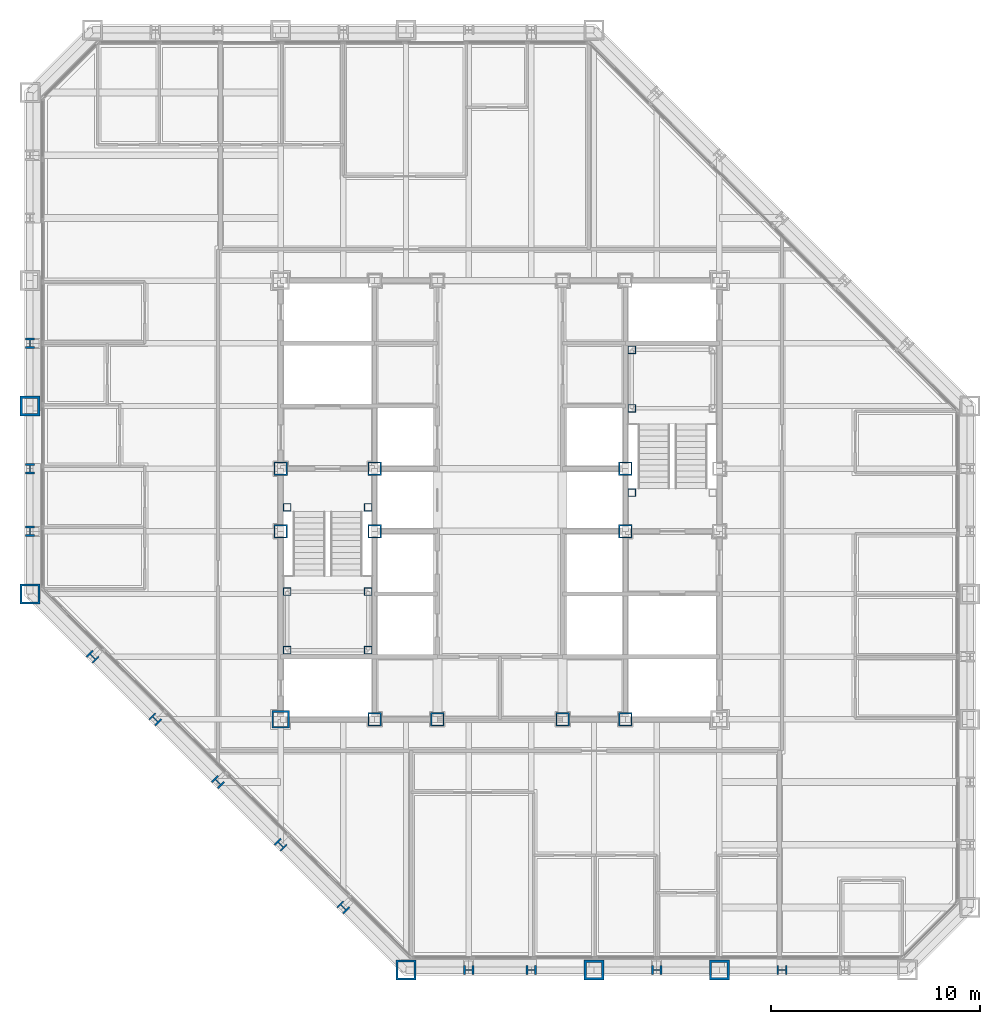
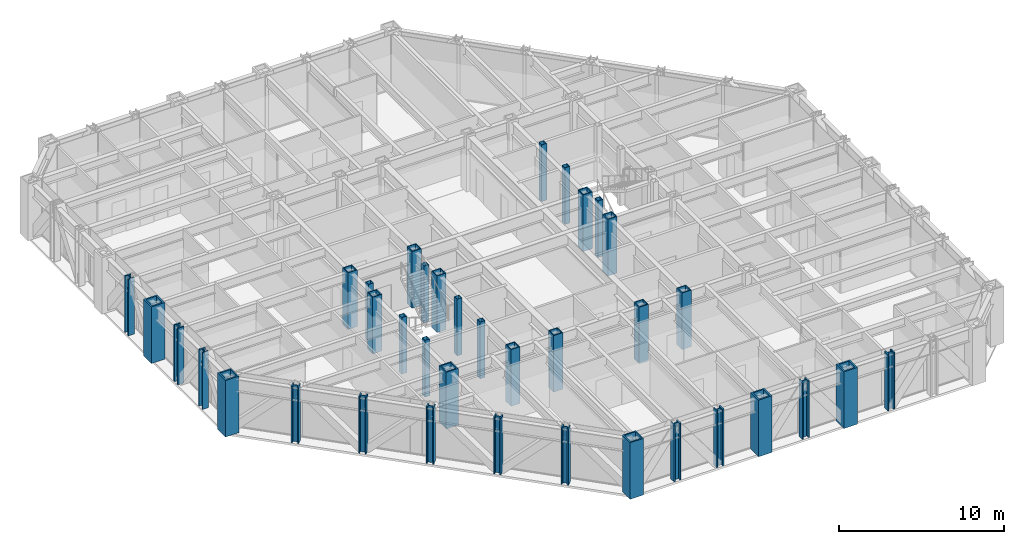
# One storey, part 1 of 16: 37 columns.
"""IFC4 building model written with IfcOpenShell, lengths in metres."""

from ifc_helpers import new_model, si_unit, direction, frame, origin, origin_2d, place, context, subcontext, project, spatial, hollow_rectangle, i_section, extrude, material, material_profile, profile_set, type_object, element, save


model = new_model("IFC4")

# Units and contexts
model_context = context("Model", 3, precision=1e-05, world=origin(), true_north=direction((0.0, 1.0)))
body_context = subcontext(model_context, "Body", "Model", "MODEL_VIEW")
ifc_project = project(units=[si_unit("LENGTHUNIT", "METRE"), si_unit("AREAUNIT", "SQUARE_METRE"), si_unit("VOLUMEUNIT", "CUBIC_METRE"), si_unit("PLANEANGLEUNIT", "RADIAN"), si_unit("MASSUNIT", "GRAM", prefix="KILO")], contexts=[model_context])

# Site, building, storey
site_placement = place(None, origin())
site = spatial("IfcSite", under=ifc_project, at=site_placement, CompositionType="ELEMENT")
building_placement = place(site_placement, origin())
building = spatial("IfcBuilding", under=site, at=building_placement, Name="Chuquiago Exchange Tower", CompositionType="ELEMENT")
storey_placement = place(building_placement, frame((0.0, 0.0, 144.60009765625)))
storey = spatial("IfcBuildingStorey", under=building, at=storey_placement, Name="L31", CompositionType="ELEMENT", Elevation=144.60009765625)

# Columns
ifc_material_1 = material(Name="Steel ASTM A992", Category="steel")
ifc_material_profile_1 = material_profile(ifc_material_1, i_section(OverallWidth=0.431884765625, OverallDepth=0.497802734375, WebThickness=0.0556640625, FlangeThickness=0.0888671875, at=origin_2d()), Name="W14X500")
ifc_profile_set_1 = profile_set([ifc_material_profile_1], Name="Steel ASTM A992")
column_type_1 = type_object("IfcColumnType", Name="C7 W14X500", PredefinedType="COLUMN", material=ifc_profile_set_1)
for number, where, z_axis, x_axis, name in (
    (1, (21.0, 0.0, 0.0), (0.0, 0.0, 1.0), (0.0, -1.0, 0.0), "COL-L31-21_0"),
    (2, (24.0, 0.0, 0.0), (0.0, 0.0, 1.0), (0.0, -1.0, 0.0), "COL-L31-24_0"),
    (3, (30.0, 0.0, 0.0), (0.0, 0.0, 1.0), (0.0, -1.0, 0.0), "COL-L31-30_0"),
    (4, (36.0, 0.0, 0.0), (0.0, 0.0, 1.0), (0.0, -1.0, 0.0), "COL-L31-36_0"),
    (5, (0.0, 30.0, 0.0), (0.0, 0.0, 1.0), (-1.0, 0.0, 0.0), "COL-L31-0_30"),
    (6, (0.0, 24.0, 0.0), (0.0, 0.0, 1.0), (-1.0, 0.0, 0.0), "COL-L31-0_24"),
    (7, (0.0, 21.0, 0.0), (0.0, 0.0, 1.0), (-1.0, 0.0, 0.0), "COL-L31-0_21"),
):
    element("IfcColumn", number, at=place(storey_placement, frame(where, z_axis=z_axis, x_axis=x_axis)), inside=storey, type_object=column_type_1, Name=name, PredefinedType="COLUMN", context=body_context, shape_type="SweptSolid", body=[
        extrude(i_section(OverallWidth=0.431884765625, OverallDepth=0.497802734375, WebThickness=0.0556640625, FlangeThickness=0.0888671875, at=origin_2d()), origin(), (0.0, 0.0, 1.0), 4.199951171875),
    ])
ifc_material_2 = material(Name="Steel ASTM A572 Grade 50", Category="steel")
ifc_material_profile_2 = material_profile(ifc_material_2, hollow_rectangle(XDim=0.85009765625, YDim=0.85009765625, WallThickness=0.0849609375, at=origin_2d()), Name="BOX850X850X85")
ifc_profile_set_2 = profile_set([ifc_material_profile_2], Name="Steel ASTM A572 Grade 50")
column_type_2 = type_object("IfcColumnType", Name="CC6 BOX850X850X85", PredefinedType="COLUMN", material=ifc_profile_set_2)
column_placement = place(storey_placement, frame((12.0, 12.0, 0.0), z_axis=(0.0, 0.0, 1.0), x_axis=(1.0, 0.0, 0.0)))
element("IfcColumn", 8, at=column_placement, inside=storey, type_object=column_type_2, Name="CCOL-L31-12_12", PredefinedType="COLUMN", context=body_context, shape_type="SweptSolid", body=[
    extrude(hollow_rectangle(XDim=0.85009765625, YDim=0.85009765625, WallThickness=0.0849609375, at=origin_2d()), origin(), (0.0, 0.0, 1.0), 4.199951171875),
])
ifc_material_3 = material(Name="Steel ASTM A572 Grade 50", Category="steel")
ifc_material_profile_3 = material_profile(ifc_material_3, hollow_rectangle(XDim=0.64990234375, YDim=0.64990234375, WallThickness=0.06494140625, at=origin_2d()), Name="BOX650X650X65")
ifc_profile_set_3 = profile_set([ifc_material_profile_3], Name="Steel ASTM A572 Grade 50")
column_type_3 = type_object("IfcColumnType", Name="CC7 BOX650X650X65", PredefinedType="COLUMN", material=ifc_profile_set_3)
for number, where, z_axis, x_axis, name in (
    (9, (16.5, 12.0, 0.0), (0.0, 0.0, 1.0), (1.0, 0.0, 0.0), "CCOL-L31-16.5_12"),
    (10, (19.5, 12.0, 0.0), (0.0, 0.0, 1.0), (1.0, 0.0, 0.0), "CCOL-L31-19.5_12"),
    (11, (25.5, 12.0, 0.0), (0.0, 0.0, 1.0), (1.0, 0.0, 0.0), "CCOL-L31-25.5_12"),
    (12, (28.5, 12.0, 0.0), (0.0, 0.0, 1.0), (1.0, 0.0, 0.0), "CCOL-L31-28.5_12"),
    (13, (12.0, 21.0, 0.0), (0.0, 0.0, 1.0), (1.0, 0.0, 0.0), "CCOL-L31-12_21"),
    (14, (12.0, 24.0, 0.0), (0.0, 0.0, 1.0), (1.0, 0.0, 0.0), "CCOL-L31-12_24"),
    (15, (16.5, 21.0, 0.0), (0.0, 0.0, 1.0), (1.0, 0.0, 0.0), "CCOL-L31-16.5_21"),
    (16, (16.5, 24.0, 0.0), (0.0, 0.0, 1.0), (1.0, 0.0, 0.0), "CCOL-L31-16.5_24"),
    (17, (28.5, 21.0, 0.0), (0.0, 0.0, 1.0), (1.0, 0.0, 0.0), "CCOL-L31-28.5_21"),
    (18, (28.5, 24.0, 0.0), (0.0, 0.0, 1.0), (1.0, 0.0, 0.0), "CCOL-L31-28.5_24"),
):
    element("IfcColumn", number, at=place(storey_placement, frame(where, z_axis=z_axis, x_axis=x_axis)), inside=storey, type_object=column_type_3, Name=name, PredefinedType="COLUMN", context=body_context, shape_type="SweptSolid", body=[
        extrude(hollow_rectangle(XDim=0.64990234375, YDim=0.64990234375, WallThickness=0.06494140625, at=origin_2d()), origin(), (0.0, 0.0, 1.0), 4.199951171875),
    ])
ifc_material_4 = material(Name="Steel ASTM A992", Category="steel")
ifc_material_profile_4 = material_profile(ifc_material_4, i_section(OverallWidth=0.4267578125, OverallDepth=0.482666015625, WebThickness=0.05126953125, FlangeThickness=0.08154296875, at=origin_2d()), Name="W14X455")
ifc_profile_set_4 = profile_set([ifc_material_profile_4], Name="Steel ASTM A992")
column_type_4 = type_object("IfcColumnType", Name="CK6 W14X455", PredefinedType="COLUMN", material=ifc_profile_set_4)
for number, where, z_axis, x_axis, name in (
    (19, (3.0, 15.0, 0.0), (0.0, 0.0, 1.0), (-0.707106781187, -0.707106781187, 0.0), "COL-L31-3_15"),
    (20, (6.0, 12.0, 0.0), (0.0, 0.0, 1.0), (-0.707106781187, -0.707106781187, 0.0), "COL-L31-6_12"),
    (21, (9.0, 9.0, 0.0), (0.0, 0.0, 1.0), (-0.707106781187, -0.707106781187, 0.0), "COL-L31-9_9"),
    (22, (12.0, 6.0, 0.0), (0.0, 0.0, 1.0), (-0.707106781187, -0.707106781187, 0.0), "COL-L31-12_6"),
    (23, (15.0, 3.0, 0.0), (0.0, 0.0, 1.0), (-0.707106781187, -0.707106781187, 0.0), "COL-L31-15_3"),
):
    element("IfcColumn", number, at=place(storey_placement, frame(where, z_axis=z_axis, x_axis=x_axis)), inside=storey, type_object=column_type_4, Name=name, PredefinedType="COLUMN", context=body_context, shape_type="SweptSolid", body=[
        extrude(i_section(OverallWidth=0.4267578125, OverallDepth=0.482666015625, WebThickness=0.05126953125, FlangeThickness=0.08154296875, at=origin_2d()), origin(), (0.0, 0.0, 1.0), 4.199951171875),
    ])
ifc_material_5 = material(Name="Steel ASTM A572 Grade 50", Category="steel")
ifc_material_profile_5 = material_profile(ifc_material_5, hollow_rectangle(XDim=0.949951171875, YDim=0.949951171875, WallThickness=0.094970703125, at=origin_2d()), Name="BOX950X950X95")
ifc_profile_set_5 = profile_set([ifc_material_profile_5], Name="Steel ASTM A572 Grade 50")
column_type_5 = type_object("IfcColumnType", Name="CN1 BOX950X950X95", PredefinedType="COLUMN", material=ifc_profile_set_5)
for number, where, z_axis, x_axis, name in (
    (24, (18.0, 0.0, 0.0), (0.0, 0.0, 1.0), (0.0, -1.0, 0.0), "COL-L31-18_0"),
    (25, (0.0, 18.0, 0.0), (0.0, 0.0, 1.0), (-1.0, 0.0, 0.0), "COL-L31-0_18"),
):
    element("IfcColumn", number, at=place(storey_placement, frame(where, z_axis=z_axis, x_axis=x_axis)), inside=storey, type_object=column_type_5, Name=name, PredefinedType="COLUMN", context=body_context, shape_type="SweptSolid", body=[
        extrude(hollow_rectangle(XDim=0.949951171875, YDim=0.949951171875, WallThickness=0.094970703125, at=origin_2d()), origin(), (0.0, 0.0, 1.0), 4.199951171875),
    ])
ifc_material_6 = material(Name="Steel ASTM A572 Grade 42", Category="steel")
ifc_material_profile_6 = material_profile(ifc_material_6, hollow_rectangle(XDim=0.949951171875, YDim=0.949951171875, WallThickness=0.110107421875, at=origin_2d()), Name="BOX950X950X110")
ifc_profile_set_6 = profile_set([ifc_material_profile_6], Name="Steel ASTM A572 Grade 42")
column_type_6 = type_object("IfcColumnType", Name="CT1 BOX950X950X110", PredefinedType="COLUMN", material=ifc_profile_set_6)
for number, where, z_axis, x_axis, name in (
    (26, (27.0, 0.0, 0.0), (0.0, 0.0, 1.0), (0.0, -1.0, 0.0), "COL-L31-27_0"),
    (27, (33.0, 0.0, 0.0), (0.0, 0.0, 1.0), (0.0, -1.0, 0.0), "COL-L31-33_0"),
    (28, (0.0, 27.0, 0.0), (0.0, 0.0, 1.0), (-1.0, 0.0, 0.0), "COL-L31-0_27"),
):
    element("IfcColumn", number, at=place(storey_placement, frame(where, z_axis=z_axis, x_axis=x_axis)), inside=storey, type_object=column_type_6, Name=name, PredefinedType="COLUMN", context=body_context, shape_type="SweptSolid", body=[
        extrude(hollow_rectangle(XDim=0.949951171875, YDim=0.949951171875, WallThickness=0.110107421875, at=origin_2d()), origin(), (0.0, 0.0, 1.0), 4.199951171875),
    ])
ifc_material_7 = material(Name="Steel ASTM A500 Grade C", Category="steel")
ifc_material_profile_7 = material_profile(ifc_material_7, hollow_rectangle(XDim=0.355712890625, YDim=0.355712890625, WallThickness=0.0146484375, at=origin_2d()), Name="HSS14X14X5/8")
ifc_profile_set_7 = profile_set([ifc_material_profile_7], Name="Steel ASTM A500 Grade C")
column_type_7 = type_object("IfcColumnType", Name="PT2 HSS14X14X5/8", PredefinedType="COLUMN", material=ifc_profile_set_7)
for number, where, z_axis, x_axis, name in (
    (29, (12.31005859375, 15.31005859375, 0.0), (0.0, 0.0, 1.0), (1.0, 0.0, 0.0), "Stair ST1 L31 landing post"),
    (30, (16.18994140625, 15.31005859375, 0.0), (0.0, 0.0, 1.0), (1.0, 0.0, 0.0), "Stair ST1 L31 landing post"),
    (31, (12.31005859375, 18.110107421875, 0.0), (0.0, 0.0, 1.0), (1.0, 0.0, 0.0), "Stair ST1 L31 landing post"),
    (32, (16.18994140625, 18.110107421875, 0.0), (0.0, 0.0, 1.0), (1.0, 0.0, 0.0), "Stair ST1 L31 landing post"),
    (33, (12.31005859375, 22.14990234375, 0.0), (0.0, 0.0, 1.0), (1.0, 0.0, 0.0), "Stair ST1 L31 landing post"),
    (34, (16.18994140625, 22.14990234375, 0.0), (0.0, 0.0, 1.0), (1.0, 0.0, 0.0), "Stair ST1 L31 landing post"),
    (35, (28.81005859375, 29.68994140625, 0.0), (0.0, 0.0, 1.0), (1.0, 0.0, 0.0), "Stair ST2 L31 landing post"),
    (36, (28.81005859375, 26.889892578125, 0.0), (0.0, 0.0, 1.0), (1.0, 0.0, 0.0), "Stair ST2 L31 landing post"),
    (37, (28.81005859375, 22.85009765625, 0.0), (0.0, 0.0, 1.0), (1.0, 0.0, 0.0), "Stair ST2 L31 landing post"),
):
    element("IfcColumn", number, at=place(storey_placement, frame(where, z_axis=z_axis, x_axis=x_axis)), inside=storey, type_object=column_type_7, Name=name, PredefinedType="COLUMN", context=body_context, shape_type="SweptSolid", body=[
        extrude(hollow_rectangle(XDim=0.355712890625, YDim=0.355712890625, WallThickness=0.0146484375, at=origin_2d()), origin(), (0.0, 0.0, 1.0), 4.199951171875),
    ])

save(model, "model.ifc")
